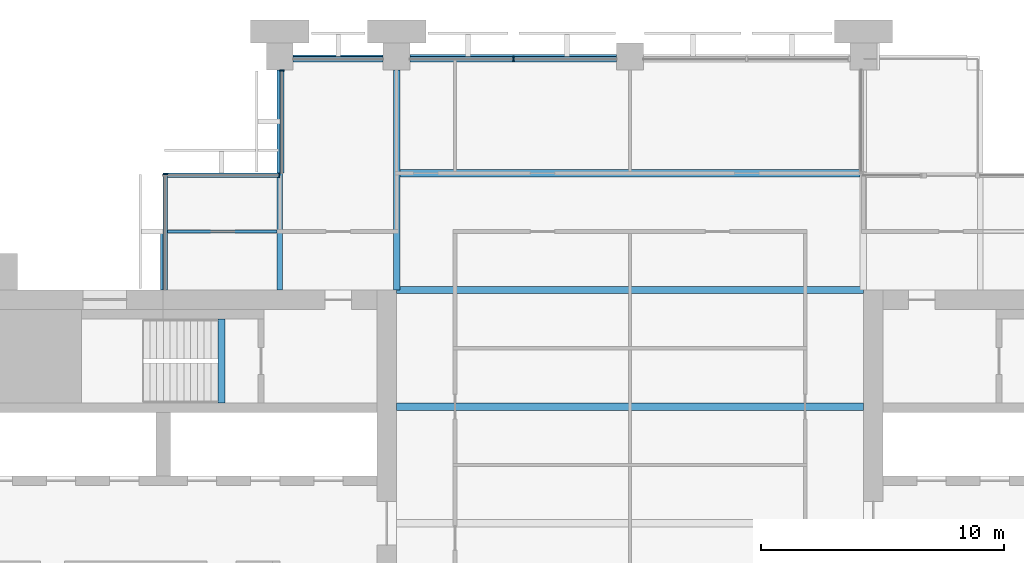
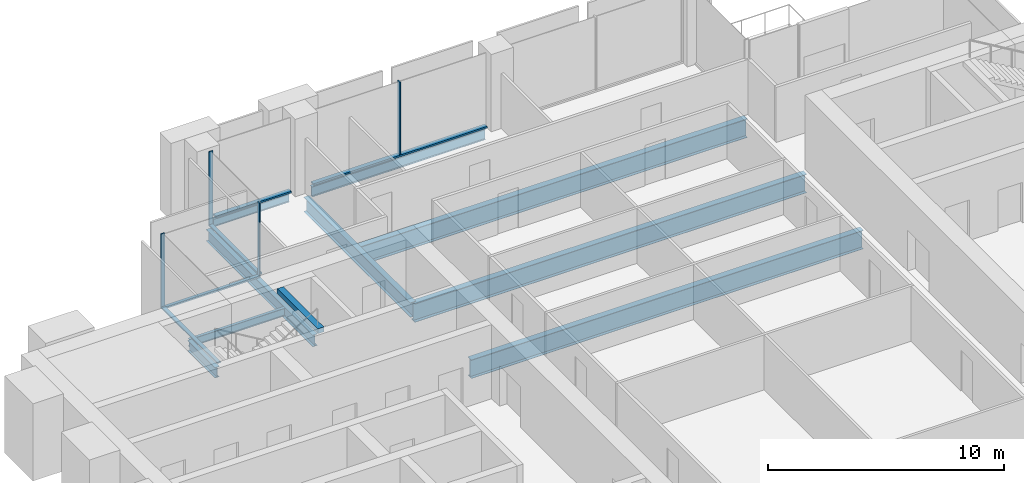
# One storey, part 5 of 13: 10 beams, 9 members, 4 elements without a shape of their own.
"""IFC4 building model written with IfcOpenShell, lengths in metres."""

from ifc_helpers import new_model, si_unit, direction, frame, origin, origin_2d, place, context, subcontext, project, spatial, rectangle, i_section, extrude, material, material_profile, profile_set, type_object, element, aggregate, save


model = new_model("IFC4")

# Units and contexts
model_context = context("Model", 3, precision=1e-05, world=origin(), true_north=direction((0.0, 1.0)))
body_context = subcontext(model_context, "Body", "Model", "MODEL_VIEW")
ifc_project = project(units=[si_unit("LENGTHUNIT", "METRE"), si_unit("AREAUNIT", "SQUARE_METRE"), si_unit("VOLUMEUNIT", "CUBIC_METRE"), si_unit("PLANEANGLEUNIT", "RADIAN"), si_unit("MASSUNIT", "GRAM", prefix="KILO")], contexts=[model_context])

# Site, building, storey
site_placement = place(None, origin())
site = spatial("IfcSite", under=ifc_project, at=site_placement, CompositionType="ELEMENT")
building_placement = place(site_placement, origin())
building = spatial("IfcBuilding", under=site, at=building_placement, Name="Baori Bourse Tower", CompositionType="ELEMENT")
storey_placement = place(building_placement, frame((0.0, 0.0, 205.199951171875)))
storey = spatial("IfcBuildingStorey", under=building, at=storey_placement, Name="L44", CompositionType="ELEMENT", Elevation=205.199951171875)

# Curtain wall, member
ifc_material_1 = material(Name="Pale anodised aluminium", Category="aluminium")
curtain_wall_type_1 = type_object("IfcCurtainWallType", Name="CW2 Curtain wall", PredefinedType="NOTDEFINED", material=ifc_material_1)
curtain_wall_1_placement = place(storey_placement, origin())
curtain_wall_1 = element("IfcCurtainWall", 1, at=curtain_wall_1_placement, inside=storey, type_object=curtain_wall_type_1, Name="Curtain wall CW2 L44 6", PredefinedType="NOTDEFINED")
ifc_material_2 = material(Name="Pale anodised aluminium", Category="aluminium")
ifc_material_profile_1 = material_profile(ifc_material_2, rectangle(XDim=0.179931640625, YDim=0.054931640625, at=origin_2d()), Name="Mullion 55x180")
ifc_profile_set_1 = profile_set([ifc_material_profile_1], Name="Pale anodised aluminium")
member_type_1 = type_object("IfcMemberType", Name="CW2 Curtain wall mullion", PredefinedType="MULLION", material=ifc_profile_set_1)
member_1_placement = place(storey_placement, frame((14.489990234375, 47.422607421875, 0.070068359375), z_axis=(0.0, 0.0, 1.0), x_axis=(1.0, 0.0, 0.0)))
member_1 = element("IfcMember", 2, at=member_1_placement, type_object=member_type_1, Name="Curtain wall CW2 mullion", PredefinedType="MULLION", context=body_context, shape_type="SweptSolid", body=[
    extrude(rectangle(XDim=0.179931640625, YDim=0.054931640625, at=origin_2d()), origin(), (0.0, 0.0, 1.0), 3.77001953125),
])

curtain_wall_2_placement = place(storey_placement, origin())
curtain_wall_2 = element("IfcCurtainWall", 3, at=curtain_wall_2_placement, inside=storey, type_object=curtain_wall_type_1, Name="Curtain wall CW2 L44 7", PredefinedType="NOTDEFINED")
member_2_placement = place(storey_placement, frame((14.37255859375, 43.110107421875, 0.070068359375), z_axis=(0.0, 0.0, 1.0), x_axis=(0.0, -1.0, 0.0)))
member_2 = element("IfcMember", 4, at=member_2_placement, type_object=member_type_1, Name="Curtain wall CW2 mullion", PredefinedType="MULLION", context=body_context, shape_type="SweptSolid", body=[
    extrude(rectangle(XDim=0.179931640625, YDim=0.054931640625, at=origin_2d()), origin(), (0.0, 0.0, 1.0), 3.77001953125),
])

curtain_wall_3_placement = place(storey_placement, origin())
curtain_wall_3 = element("IfcCurtainWall", 5, at=curtain_wall_3_placement, inside=storey, type_object=curtain_wall_type_1, Name="Curtain wall CW2 L44 8", PredefinedType="NOTDEFINED")
member_3_placement = place(storey_placement, frame((9.68994140625, 43.172607421875, 0.070068359375), z_axis=(0.0, 0.0, 1.0), x_axis=(1.0, 0.0, 0.0)))
member_3 = element("IfcMember", 6, at=member_3_placement, type_object=member_type_1, Name="Curtain wall CW2 mullion", PredefinedType="MULLION", context=body_context, shape_type="SweptSolid", body=[
    extrude(rectangle(XDim=0.179931640625, YDim=0.054931640625, at=origin_2d()), origin(), (0.0, 0.0, 1.0), 3.77001953125),
])

# Member
ifc_material_3 = material(Name="Pale anodised aluminium", Category="aluminium")
ifc_material_profile_2 = material_profile(ifc_material_3, rectangle(XDim=0.179931640625, YDim=0.070068359375, at=origin_2d()), Name="Transom 70x180")
ifc_profile_set_2 = profile_set([ifc_material_profile_2], Name="Pale anodised aluminium")
member_type_2 = type_object("IfcMemberType", Name="CW2 Curtain wall transom", PredefinedType="USERDEFINED", material=ifc_profile_set_2)
member_4_placement = place(storey_placement, frame((14.489990234375, 47.449951171875, 0.03515625), z_axis=(0.0, -1.0, 0.0), x_axis=(1.0, 0.0, 0.0)))
member_4 = element("IfcMember", 7, at=member_4_placement, type_object=member_type_2, Name="Curtain wall CW2 sill rail", ObjectType="TRANSOM", PredefinedType="USERDEFINED", context=body_context, shape_type="SweptSolid", body=[
    extrude(rectangle(XDim=0.179931640625, YDim=0.070068359375, at=origin_2d()), origin(), (0.0, 0.0, 1.0), 4.25),
])

aggregate(curtain_wall_1, [member_4, member_1])

member_5_placement = place(storey_placement, frame((14.39990234375, 43.110107421875, 0.03515625), z_axis=(-1.0, 0.0, 0.0), x_axis=(0.0, -1.0, 0.0)))
member_5 = element("IfcMember", 8, at=member_5_placement, type_object=member_type_2, Name="Curtain wall CW2 sill rail", ObjectType="TRANSOM", PredefinedType="USERDEFINED", context=body_context, shape_type="SweptSolid", body=[
    extrude(rectangle(XDim=0.179931640625, YDim=0.070068359375, at=origin_2d()), origin(), (0.0, 0.0, 1.0), 4.7998046875),
])

aggregate(curtain_wall_2, [member_5, member_2])

member_6_placement = place(storey_placement, frame((9.68994140625, 43.199951171875, 0.03515625), z_axis=(0.0, -1.0, 0.0), x_axis=(1.0, 0.0, 0.0)))
member_6 = element("IfcMember", 9, at=member_6_placement, type_object=member_type_2, Name="Curtain wall CW2 sill rail", ObjectType="TRANSOM", PredefinedType="USERDEFINED", context=body_context, shape_type="SweptSolid", body=[
    extrude(rectangle(XDim=0.179931640625, YDim=0.070068359375, at=origin_2d()), origin(), (0.0, 0.0, 1.0), 4.800048828125),
])

aggregate(curtain_wall_3, [member_6, member_3])

# Curtain wall, members
ifc_material_4 = material(Name="Pale anodised aluminium", Category="aluminium")
curtain_wall_type_2 = type_object("IfcCurtainWallType", Name="CW5 Curtain wall", PredefinedType="NOTDEFINED", material=ifc_material_4)
curtain_wall_4_placement = place(storey_placement, origin())
curtain_wall_4 = element("IfcCurtainWall", 10, at=curtain_wall_4_placement, inside=storey, type_object=curtain_wall_type_2, Name="Curtain wall CW5 L44 5", PredefinedType="NOTDEFINED")
ifc_material_5 = material(Name="Pale anodised aluminium", Category="aluminium")
ifc_material_profile_3 = material_profile(ifc_material_5, rectangle(XDim=0.219970703125, YDim=0.06494140625, at=origin_2d()), Name="Mullion 65x220")
ifc_profile_set_3 = profile_set([ifc_material_profile_3], Name="Pale anodised aluminium")
member_type_3 = type_object("IfcMemberType", Name="CW5 Curtain wall mullion", PredefinedType="MULLION", material=ifc_profile_set_3)
member_7_placement = place(storey_placement, frame((24.0, 47.889892578125, 0.0849609375), z_axis=(0.0, 0.0, 1.0), x_axis=(0.0, -1.0, 0.0)))
member_7 = element("IfcMember", 11, at=member_7_placement, type_object=member_type_3, Name="Curtain wall CW5 mullion", PredefinedType="MULLION", context=body_context, shape_type="SweptSolid", body=[
    extrude(rectangle(XDim=0.219970703125, YDim=0.06494140625, at=origin_2d()), origin(), (0.0, 0.0, 1.0), 3.755126953125),
])
ifc_material_6 = material(Name="Pale anodised aluminium", Category="aluminium")
ifc_material_profile_4 = material_profile(ifc_material_6, rectangle(XDim=0.219970703125, YDim=0.0849609375, at=origin_2d()), Name="Transom 85x220")
ifc_profile_set_4 = profile_set([ifc_material_profile_4], Name="Pale anodised aluminium")
member_type_4 = type_object("IfcMemberType", Name="CW5 Curtain wall transom", PredefinedType="USERDEFINED", material=ifc_profile_set_4)
member_8_placement = place(storey_placement, frame((28.25, 47.889892578125, 0.04248046875), z_axis=(-1.0, 0.0, 0.0), x_axis=(0.0, -1.0, 0.0)))
member_8 = element("IfcMember", 12, at=member_8_placement, type_object=member_type_4, Name="Curtain wall CW5 sill rail", ObjectType="TRANSOM", PredefinedType="USERDEFINED", context=body_context, shape_type="SweptSolid", body=[
    extrude(rectangle(XDim=0.219970703125, YDim=0.0849609375, at=origin_2d()), origin(), (0.0, 0.0, 1.0), 8.5),
])
member_9_placement = place(storey_placement, frame((18.64990234375, 47.889892578125, 0.04248046875), z_axis=(-1.0, 0.0, 0.0), x_axis=(0.0, -1.0, 0.0)))
member_9 = element("IfcMember", 13, at=member_9_placement, type_object=member_type_4, Name="Curtain wall CW5 sill rail", ObjectType="TRANSOM", PredefinedType="USERDEFINED", context=body_context, shape_type="SweptSolid", body=[
    extrude(rectangle(XDim=0.219970703125, YDim=0.0849609375, at=origin_2d()), origin(), (0.0, 0.0, 1.0), 3.699951171875),
])
aggregate(curtain_wall_4, [member_8, member_7, member_9])

# Beams
ifc_material_7 = material(Name="Steel A992 Gr 50", Category="steel")
ifc_material_profile_5 = material_profile(ifc_material_7, i_section(OverallWidth=0.21240234375, OverallDepth=0.54345703125, WebThickness=0.01318359375, FlangeThickness=0.021240234375, at=origin_2d()), Name="W21x83")
ifc_profile_set_5 = profile_set([ifc_material_profile_5], Name="Steel A992 Gr 50")
beam_type_1 = type_object("IfcBeamType", Name="Core bracket W21x83", PredefinedType="BEAM", material=ifc_profile_set_5)
beam_1_placement = place(storey_placement, frame((9.60009765625, 38.39990234375, -0.431640625), z_axis=(0.0, 1.0, 0.0), x_axis=(-1.0, 0.0, 0.0)))
element("IfcBeam", 14, at=beam_1_placement, inside=storey, type_object=beam_type_1, Name="Core bracket L44", PredefinedType="BEAM", context=body_context, shape_type="SweptSolid", body=[
    extrude(i_section(OverallWidth=0.21240234375, OverallDepth=0.54345703125, WebThickness=0.01318359375, FlangeThickness=0.021240234375, at=origin_2d()), origin(), (0.0, 0.0, 1.0), 2.329833984375),
])
ifc_material_8 = material(Name="Steel A992 Gr 50", Category="steel")
ifc_material_profile_6 = material_profile(ifc_material_8, i_section(OverallWidth=0.140380859375, OverallDepth=0.40380859375, WebThickness=0.007080078125, FlangeThickness=0.01123046875, at=origin_2d()), Name="W16x31")
ifc_profile_set_6 = profile_set([ifc_material_profile_6], Name="Steel A992 Gr 50")
beam_type_2 = type_object("IfcBeamType", Name="Edge beam W16x31", PredefinedType="BEAM", material=ifc_profile_set_6)
beam_2_placement = place(storey_placement, frame((14.949951171875, 48.0, -0.36181640625), z_axis=(1.0, 0.0, 0.0), x_axis=(0.0, 1.0, 0.0)))
element("IfcBeam", 15, at=beam_2_placement, inside=storey, type_object=beam_type_2, Name="Edge beam L44", PredefinedType="BEAM", context=body_context, shape_type="SweptSolid", body=[
    extrude(i_section(OverallWidth=0.140380859375, OverallDepth=0.40380859375, WebThickness=0.007080078125, FlangeThickness=0.01123046875, at=origin_2d()), origin(), (0.0, 0.0, 1.0), 3.699951171875),
])
ifc_material_9 = material(Name="Steel A992 Gr 50", Category="steel")
ifc_material_profile_7 = material_profile(ifc_material_9, i_section(OverallWidth=0.1650390625, OverallDepth=0.52587890625, WebThickness=0.0087890625, FlangeThickness=0.011474609375, at=origin_2d()), Name="W21x44")
ifc_profile_set_7 = profile_set([ifc_material_profile_7], Name="Steel A992 Gr 50")
beam_type_3 = type_object("IfcBeamType", Name="Edge beam W21x44", PredefinedType="BEAM", material=ifc_profile_set_7)
beam_3_placement = place(storey_placement, frame((19.75, 48.0, -0.4228515625), z_axis=(1.0, 0.0, 0.0), x_axis=(0.0, 1.0, 0.0)))
element("IfcBeam", 16, at=beam_3_placement, inside=storey, type_object=beam_type_3, Name="Edge beam L44", PredefinedType="BEAM", context=body_context, shape_type="SweptSolid", body=[
    extrude(i_section(OverallWidth=0.1650390625, OverallDepth=0.52587890625, WebThickness=0.0087890625, FlangeThickness=0.011474609375, at=origin_2d()), origin(), (0.0, 0.0, 1.0), 8.5),
])
ifc_material_10 = material(Name="Steel A992 Gr 50", Category="steel")
ifc_material_profile_8 = material_profile(ifc_material_10, i_section(OverallWidth=0.227783203125, OverallDepth=0.60205078125, WebThickness=0.010498046875, FlangeThickness=0.014892578125, at=origin_2d()), Name="W24x68")
ifc_profile_set_8 = profile_set([ifc_material_profile_8], Name="Steel A992 Gr 50")
beam_type_4 = type_object("IfcBeamType", Name="Floor beam W24x68", PredefinedType="BEAM", material=ifc_profile_set_8)
beam_4_placement = place(storey_placement, frame((14.39990234375, 38.39990234375, -0.4609375), z_axis=(0.0, 1.0, 0.0), x_axis=(-1.0, 0.0, 0.0)))
element("IfcBeam", 17, at=beam_4_placement, inside=storey, type_object=beam_type_4, Name="Floor beam L44", PredefinedType="BEAM", context=body_context, shape_type="SweptSolid", body=[
    extrude(i_section(OverallWidth=0.227783203125, OverallDepth=0.60205078125, WebThickness=0.010498046875, FlangeThickness=0.014892578125, at=origin_2d()), origin(), (0.0, 0.0, 1.0), 9.050048828125),
])
ifc_material_11 = material(Name="Steel A992 Gr 50", Category="steel")
ifc_material_profile_9 = material_profile(ifc_material_11, i_section(OverallWidth=0.2998046875, OverallDepth=0.97021484375, WebThickness=0.01611328125, FlangeThickness=0.02099609375, at=origin_2d()), Name="W40x149")
ifc_profile_set_9 = profile_set([ifc_material_profile_9], Name="Steel A992 Gr 50")
beam_type_5 = type_object("IfcBeamType", Name="Floor beam W40x149", PredefinedType="BEAM", material=ifc_profile_set_9)
for number, where, z_axis, x_axis, name in (
    (18, (19.199951171875, 33.60009765625, -0.64501953125), (1.0, 0.0, 0.0), (0.0, 1.0, 0.0), "Floor beam L44"),
    (19, (19.199951171875, 38.39990234375, -0.64501953125), (1.0, 0.0, 0.0), (0.0, 1.0, 0.0), "Floor beam L44"),
):
    element("IfcBeam", number, at=place(storey_placement, frame(where, z_axis=z_axis, x_axis=x_axis)), inside=storey, type_object=beam_type_5, Name=name, PredefinedType="BEAM", context=body_context, shape_type="SweptSolid", body=[
        extrude(i_section(OverallWidth=0.2998046875, OverallDepth=0.97021484375, WebThickness=0.01611328125, FlangeThickness=0.02099609375, at=origin_2d()), origin(), (0.0, 0.0, 1.0), 19.199951171875),
    ])
beam_5_placement = place(storey_placement, frame((19.333251953125, 43.199951171875, -0.64501953125), z_axis=(1.0, 0.0, 0.0), x_axis=(0.0, 1.0, 0.0)))
element("IfcBeam", 20, at=beam_5_placement, inside=storey, type_object=beam_type_5, Name="Floor beam L44", PredefinedType="BEAM", context=body_context, shape_type="SweptSolid", body=[
    extrude(i_section(OverallWidth=0.2998046875, OverallDepth=0.97021484375, WebThickness=0.01611328125, FlangeThickness=0.02099609375, at=origin_2d()), origin(), (0.0, 0.0, 1.0), 18.933349609375),
])
ifc_material_12 = material(Name="Steel A992 Gr 50", Category="steel")
ifc_material_profile_10 = material_profile(ifc_material_12, i_section(OverallWidth=0.2666015625, OverallDepth=0.7568359375, WebThickness=0.013916015625, FlangeThickness=0.019287109375, at=origin_2d()), Name="W30x108")
ifc_profile_set_10 = profile_set([ifc_material_profile_10], Name="Steel A992 Gr 50")
beam_type_6 = type_object("IfcBeamType", Name="Girder W30x108", PredefinedType="BEAM", material=ifc_profile_set_10)
beam_6_placement = place(storey_placement, frame((19.199951171875, 38.39990234375, -0.538330078125), z_axis=(0.0, 1.0, 0.0), x_axis=(-1.0, 0.0, 0.0)))
element("IfcBeam", 21, at=beam_6_placement, inside=storey, type_object=beam_type_6, Name="Girder L44", PredefinedType="BEAM", context=body_context, shape_type="SweptSolid", body=[
    extrude(i_section(OverallWidth=0.2666015625, OverallDepth=0.7568359375, WebThickness=0.013916015625, FlangeThickness=0.019287109375, at=origin_2d()), origin(), (0.0, 0.0, 1.0), 9.050048828125),
])
ifc_material_13 = material(Name="Concrete f'c 50 MPa", Category="concrete")
ifc_material_profile_11 = material_profile(ifc_material_13, rectangle(XDim=0.300048828125, YDim=0.25, at=origin_2d()), Name="RC 300x250")
ifc_profile_set_11 = profile_set([ifc_material_profile_11], Name="Concrete f'c 50 MPa")
beam_type_7 = type_object("IfcBeamType", Name="Stair nib beam RC 300x250", PredefinedType="BEAM", material=ifc_profile_set_11)
beam_7_placement = place(storey_placement, frame((12.0, 33.75, 3.715087890625), z_axis=(0.0, 1.0, 0.0), x_axis=(-1.0, 0.0, 0.0)))
element("IfcBeam", 22, at=beam_7_placement, inside=storey, type_object=beam_type_7, Name="Stair WB nib beam L45", PredefinedType="BEAM", context=body_context, shape_type="SweptSolid", body=[
    extrude(rectangle(XDim=0.300048828125, YDim=0.25, at=origin_2d()), origin(), (0.0, 0.0, 1.0), 3.449951171875),
])
ifc_material_14 = material(Name="Steel A992 Gr 50", Category="steel")
ifc_material_profile_12 = material_profile(ifc_material_14, i_section(OverallWidth=0.140380859375, OverallDepth=0.40380859375, WebThickness=0.007080078125, FlangeThickness=0.01123046875, at=origin_2d()), Name="W16x31")
ifc_profile_set_12 = profile_set([ifc_material_profile_12], Name="Steel A992 Gr 50")
beam_type_8 = type_object("IfcBeamType", Name="Trimmer beam W16x31", PredefinedType="BEAM", material=ifc_profile_set_12)
beam_8_placement = place(storey_placement, frame((9.60009765625, 40.800048828125, -0.36181640625), z_axis=(1.0, 0.0, 0.0), x_axis=(0.0, 1.0, 0.0)))
element("IfcBeam", 23, at=beam_8_placement, inside=storey, type_object=beam_type_8, Name="Trimmer beam L44", PredefinedType="BEAM", context=body_context, shape_type="SweptSolid", body=[
    extrude(i_section(OverallWidth=0.140380859375, OverallDepth=0.40380859375, WebThickness=0.007080078125, FlangeThickness=0.01123046875, at=origin_2d()), origin(), (0.0, 0.0, 1.0), 4.68603515625),
])

save(model, "model.ifc")
